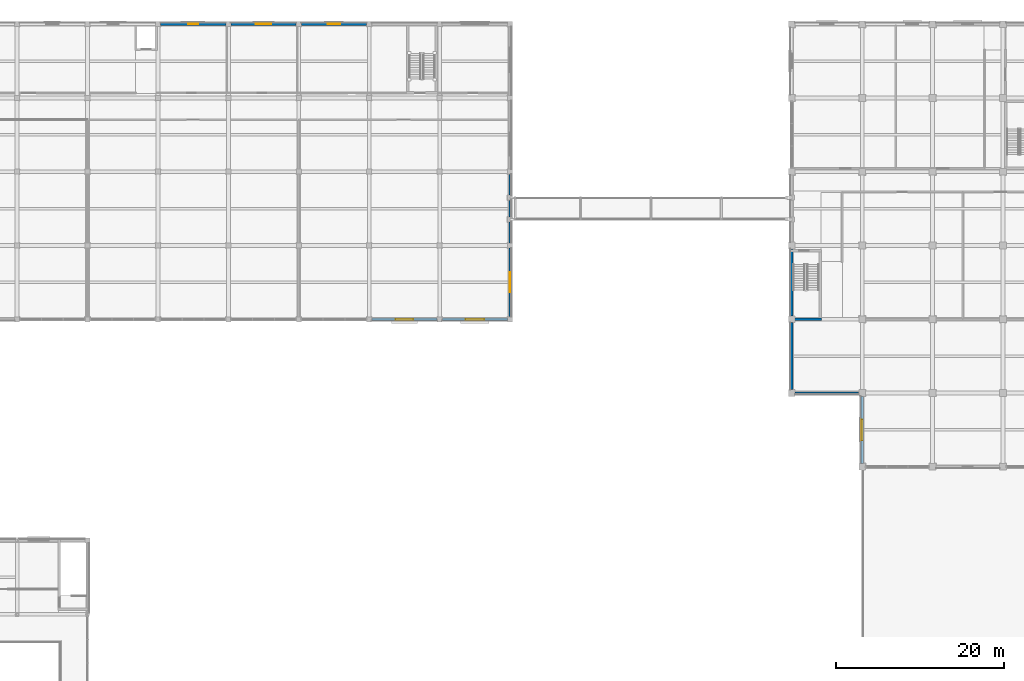
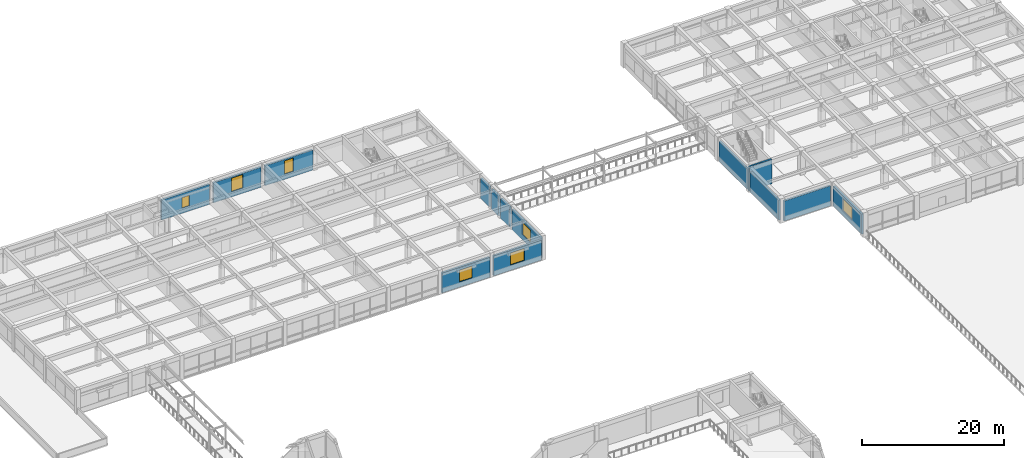
# One storey, part 37 of 57: 14 walls, 7 windows, 7 openings.
"""IFC4 building model written with IfcOpenShell, lengths in metres."""

from ifc_helpers import new_model, si_unit, direction, frame, frame_2d, origin, place, context, subcontext, project, spatial, rectangle, extrude, material, layer, layer_set, type_object, element, fill, save


model = new_model("IFC4")

# Units and contexts
model_context = context("Model", 3, precision=1e-05, world=origin(), true_north=direction((0.0, 1.0)))
body_context = subcontext(model_context, "Body", "Model", "MODEL_VIEW")
ifc_project = project(units=[si_unit("LENGTHUNIT", "METRE"), si_unit("AREAUNIT", "SQUARE_METRE"), si_unit("VOLUMEUNIT", "CUBIC_METRE"), si_unit("PLANEANGLEUNIT", "RADIAN"), si_unit("MASSUNIT", "GRAM", prefix="KILO")], contexts=[model_context])

# Site, building, storey
site_placement = place(None, origin())
site = spatial("IfcSite", under=ifc_project, at=site_placement, CompositionType="ELEMENT")
building_placement = place(site_placement, origin())
building = spatial("IfcBuilding", under=site, at=building_placement, Name="Kemercrest Conservatory and Botanical Centre", CompositionType="ELEMENT")
storey_placement = place(building_placement, frame((0.0, 0.0, 4.800048828125)))
storey = spatial("IfcBuildingStorey", under=building, at=storey_placement, Name="L01", CompositionType="ELEMENT", Elevation=4.800048828125)

# Walls
ifc_material_1 = material(Name="Precast concrete C40/50", Category="concrete")
ifc_layer_1 = layer(ifc_material_1, 0.300048828125)
ifc_layer_set_1 = layer_set([ifc_layer_1], Name="Precast concrete C40/50")
wall_type_1 = type_object("IfcWallType", Name="CW-EXT300", PredefinedType="SHEAR", material=ifc_layer_set_1)
for number, where, z_axis, x_axis, name in (
    (1, (125.60009765625, 95.590087890625, 0.0), (0.0, 0.0, 1.0), (0.0, -1.0, 0.0), "Exterior stair-core shear wall CW-EXT300 (WAL:L01:EXT-189)"),
    (2, (125.60009765625, 86.7900390625, 0.0), (0.0, 0.0, 1.0), (0.0, -1.0, 0.0), "Exterior stair-core shear wall CW-EXT300 (WAL:L01:EXT-190)"),
):
    element("IfcWall", number, at=place(storey_placement, frame(where, z_axis=z_axis, x_axis=x_axis)), inside=storey, type_object=wall_type_1, Name=name, PredefinedType="SHEAR", context=body_context, shape_type="SweptSolid", body=[
        extrude(rectangle(XDim=7.97998046875, YDim=0.300048828125, at=frame_2d((3.989990234375, 0.0))), origin(), (0.0, 0.0, 1.0), 3.449951171875),
    ])
wall_1_placement = place(storey_placement, frame((126.010009765625, 78.39990234375, 0.0), z_axis=(0.0, 0.0, 1.0), x_axis=(1.0, 0.0, 0.0)))
element("IfcWall", 3, at=wall_1_placement, inside=storey, type_object=wall_type_1, Name="Exterior stair-core shear wall CW-EXT300 (WAL:L01:EXT-191)", PredefinedType="SHEAR", context=body_context, shape_type="SweptSolid", body=[
    extrude(rectangle(XDim=7.580078125, YDim=0.300048828125, at=frame_2d((3.7900390625, 0.0))), origin(), (0.0, 0.0, 1.0), 3.449951171875),
])
ifc_material_2 = material(Name="Concrete C50/60", Category="concrete")
ifc_layer_2 = layer(ifc_material_2, 0.300048828125)
ifc_layer_set_2 = layer_set([ifc_layer_2], Name="Concrete C50/60")
wall_type_2 = type_object("IfcWallType", Name="CW-STAIR", PredefinedType="SHEAR", material=ifc_layer_set_2)
wall_2_placement = place(storey_placement, frame((125.449951171875, 87.199951171875, 0.0), z_axis=(0.0, 0.0, 1.0), x_axis=(1.0, 0.0, 0.0)))
element("IfcWall", 4, at=wall_2_placement, inside=storey, type_object=wall_type_2, Name="Stair core ST-V4C shear wall S", PredefinedType="SHEAR", context=body_context, shape_type="SweptSolid", body=[
    extrude(rectangle(XDim=3.699951171875, YDim=0.300048828125, at=frame_2d((1.85009765625, 0.0))), origin(), (0.0, 0.0, 1.0), 4.199951171875),
])

# Wall, opening, window
ifc_layer_3 = layer(ifc_material_1, 0.300048828125)
ifc_layer_set_3 = layer_set([ifc_layer_3], Name="Precast concrete C40/50")
wall_type_3 = type_object("IfcWallType", Name="W-EXT300", PredefinedType="SOLIDWALL", material=ifc_layer_set_3)
wall_3_placement = place(storey_placement, frame((75.510009765625, 87.199951171875, 0.0), z_axis=(0.0, 0.0, 1.0), x_axis=(1.0, 0.0, 0.0)))
wall_3 = element("IfcWall", 5, at=wall_3_placement, inside=storey, type_object=wall_type_3, Name="Exterior almasik wall W-EXT300 (WAL:L01:EXT-098)", PredefinedType="SOLIDWALL", context=body_context, shape_type="SweptSolid", body=[
    extrude(rectangle(XDim=7.780029296875, YDim=0.300048828125, at=frame_2d((3.89013671875, 0.0))), origin(), (0.0, 0.0, 1.0), 3.449951171875),
])
opening_1_placement = place(wall_3_placement, frame((2.85009765625, 0.0, 0.89990234375)))
opening_1 = element("IfcOpeningElement", 6, at=opening_1_placement, cuts=wall_3, Name="Opening WT-51", PredefinedType="OPENING", context=body_context, shape_type="SweptSolid", body=[
    extrude(rectangle(XDim=2.080078125, YDim=2.0400390625, at=frame_2d((1.0400390625, 1.02001953125))), frame((0.0, 0.16015625, 0.0), z_axis=(0.0, -1.0, 0.0), x_axis=(1.0, 0.0, 0.0)), (0.0, 0.0, 1.0), 0.320068359375),
])
ifc_material_3 = material(Name="Thermally broken bronze-anodized aluminium and triple glazing", Category="aluminium")
window_type_1 = type_object("IfcWindowType", Name="WT-51", PartitioningType="SINGLE_PANEL", PredefinedType="WINDOW", material=ifc_material_3)
window_1_placement = place(opening_1_placement, origin())
window_1 = element("IfcWindow", 7, at=window_1_placement, inside=storey, type_object=window_type_1, Name="Exterior window WT-51 (WIN:L01:EXT-098)", OverallHeight=2.0400390625, OverallWidth=2.080078125, PartitioningType="SINGLE_PANEL", PredefinedType="WINDOW", context=body_context, shape_type="SweptSolid", body=[
    extrude(rectangle(XDim=2.080078125, YDim=2.0400390625, at=frame_2d((1.0400390625, 1.02001953125))), frame((0.0, 0.030029296875, 0.0), z_axis=(0.0, -1.0, 0.0), x_axis=(1.0, 0.0, 0.0)), (0.0, 0.0, 1.0), 0.06005859375),
])
fill(opening_1, window_1)

wall_4_placement = place(storey_placement, frame((83.909912109375, 87.199951171875, 0.0), z_axis=(0.0, 0.0, 1.0), x_axis=(1.0, 0.0, 0.0)))
wall_4 = element("IfcWall", 8, at=wall_4_placement, inside=storey, type_object=wall_type_3, Name="Exterior almasik wall W-EXT300 (WAL:L01:EXT-099)", PredefinedType="SOLIDWALL", context=body_context, shape_type="SweptSolid", body=[
    extrude(rectangle(XDim=7.780029296875, YDim=0.300048828125, at=frame_2d((3.89013671875, 0.0))), origin(), (0.0, 0.0, 1.0), 3.449951171875),
])
opening_2_placement = place(wall_4_placement, frame((2.780029296875, 0.0, 0.89990234375)))
opening_2 = element("IfcOpeningElement", 9, at=opening_2_placement, cuts=wall_4, Name="Opening WT-52", PredefinedType="OPENING", context=body_context, shape_type="SweptSolid", body=[
    extrude(rectangle(XDim=2.219970703125, YDim=2.080078125, at=frame_2d((1.10986328125, 1.0400390625))), frame((0.0, 0.16015625, 0.0), z_axis=(0.0, -1.0, 0.0), x_axis=(1.0, 0.0, 0.0)), (0.0, 0.0, 1.0), 0.320068359375),
])
window_type_2 = type_object("IfcWindowType", Name="WT-52", PartitioningType="SINGLE_PANEL", PredefinedType="WINDOW", material=ifc_material_3)
window_2_placement = place(opening_2_placement, origin())
window_2 = element("IfcWindow", 10, at=window_2_placement, inside=storey, type_object=window_type_2, Name="Exterior window WT-52 (WIN:L01:EXT-099)", OverallHeight=2.080078125, OverallWidth=2.219970703125, PartitioningType="SINGLE_PANEL", PredefinedType="WINDOW", context=body_context, shape_type="SweptSolid", body=[
    extrude(rectangle(XDim=2.219970703125, YDim=2.080078125, at=frame_2d((1.10986328125, 1.0400390625))), frame((0.0, 0.030029296875, 0.0), z_axis=(0.0, -1.0, 0.0), x_axis=(1.0, 0.0, 0.0)), (0.0, 0.0, 1.0), 0.06005859375),
])
fill(opening_2, window_2)

wall_5_placement = place(storey_placement, frame((92.0, 87.510009765625, 0.0), z_axis=(0.0, 0.0, 1.0), x_axis=(0.0, 1.0, 0.0)))
wall_5 = element("IfcWall", 11, at=wall_5_placement, inside=storey, type_object=wall_type_3, Name="Exterior almasik wall W-EXT300 (WAL:L01:EXT-100)", PredefinedType="SOLIDWALL", context=body_context, shape_type="SweptSolid", body=[
    extrude(rectangle(XDim=8.179931640625, YDim=0.300048828125, at=frame_2d((4.08984375, 0.0))), origin(), (0.0, 0.0, 1.0), 3.449951171875),
])
opening_3_placement = place(wall_5_placement, frame((2.89990234375, 0.0, 0.89990234375)))
opening_3 = element("IfcOpeningElement", 12, at=opening_3_placement, cuts=wall_5, Name="Opening WT-53", PredefinedType="OPENING", context=body_context, shape_type="SweptSolid", body=[
    extrude(rectangle(XDim=2.3798828125, YDim=2.1201171875, at=frame_2d((1.18994140625, 1.06005859375))), frame((0.0, 0.16015625, 0.0), z_axis=(0.0, -1.0, 0.0), x_axis=(1.0, 0.0, 0.0)), (0.0, 0.0, 1.0), 0.320068359375),
])
window_type_3 = type_object("IfcWindowType", Name="WT-53", PartitioningType="SINGLE_PANEL", PredefinedType="WINDOW", material=ifc_material_3)
window_3_placement = place(opening_3_placement, origin())
window_3 = element("IfcWindow", 13, at=window_3_placement, inside=storey, type_object=window_type_3, Name="Exterior window WT-53 (WIN:L01:EXT-100)", OverallHeight=2.1201171875, OverallWidth=2.3798828125, PartitioningType="SINGLE_PANEL", PredefinedType="WINDOW", context=body_context, shape_type="SweptSolid", body=[
    extrude(rectangle(XDim=2.3798828125, YDim=2.1201171875, at=frame_2d((1.18994140625, 1.06005859375))), frame((0.0, 0.030029296875, 0.0), z_axis=(0.0, -1.0, 0.0), x_axis=(1.0, 0.0, 0.0)), (0.0, 0.0, 1.0), 0.06005859375),
])
fill(opening_3, window_3)

# Walls
wall_6_placement = place(storey_placement, frame((92.0, 96.31005859375, 0.0), z_axis=(0.0, 0.0, 1.0), x_axis=(0.0, 1.0, 0.0)))
element("IfcWall", 14, at=wall_6_placement, inside=storey, type_object=wall_type_3, Name="Exterior almasik wall W-EXT300 (WAL:L01:EXT-101-S1)", PredefinedType="SOLIDWALL", context=body_context, shape_type="SweptSolid", body=[
    extrude(rectangle(XDim=2.47998046875, YDim=0.300048828125, at=frame_2d((1.239990234375, 0.0))), origin(), (0.0, 0.0, 1.0), 3.449951171875),
])
wall_7_placement = place(storey_placement, frame((92.0, 99.409912109375, 0.0), z_axis=(0.0, 0.0, 1.0), x_axis=(0.0, 1.0, 0.0)))
element("IfcWall", 15, at=wall_7_placement, inside=storey, type_object=wall_type_3, Name="Exterior almasik wall W-EXT300 (WAL:L01:EXT-101-S2)", PredefinedType="SOLIDWALL", context=body_context, shape_type="SweptSolid", body=[
    extrude(rectangle(XDim=1.97998046875, YDim=0.300048828125, at=frame_2d((0.989990234375, 0.0))), origin(), (0.0, 0.0, 1.0), 3.449951171875),
])
wall_8_placement = place(storey_placement, frame((92.0, 102.010009765625, 0.0), z_axis=(0.0, 0.0, 1.0), x_axis=(0.0, 1.0, 0.0)))
element("IfcWall", 16, at=wall_8_placement, inside=storey, type_object=wall_type_3, Name="Exterior almasik wall W-EXT300 (WAL:L01:EXT-101-S3)", PredefinedType="SOLIDWALL", context=body_context, shape_type="SweptSolid", body=[
    extrude(rectangle(XDim=2.47998046875, YDim=0.300048828125, at=frame_2d((1.239990234375, 0.0))), origin(), (0.0, 0.0, 1.0), 3.449951171875),
])

# Wall, opening, window
wall_9_placement = place(storey_placement, frame((74.889892578125, 122.39990234375, 0.0), z_axis=(0.0, 0.0, 1.0), x_axis=(-1.0, 0.0, 0.0)))
wall_9 = element("IfcWall", 17, at=wall_9_placement, inside=storey, type_object=wall_type_3, Name="Exterior almasik wall W-EXT300 (WAL:L01:EXT-106)", PredefinedType="SOLIDWALL", context=body_context, shape_type="SweptSolid", body=[
    extrude(rectangle(XDim=7.77978515625, YDim=0.300048828125, at=frame_2d((3.889892578125, 0.0))), origin(), (0.0, 0.0, 1.0), 3.449951171875),
])
opening_4_placement = place(wall_9_placement, frame((3.169921875, 0.0, 0.89990234375)))
opening_4 = element("IfcOpeningElement", 18, at=opening_4_placement, cuts=wall_9, Name="Opening WT-59", PredefinedType="OPENING", context=body_context, shape_type="SweptSolid", body=[
    extrude(rectangle(XDim=1.43994140625, YDim=2.300048828125, at=frame_2d((0.719970703125, 1.14990234375))), frame((0.0, 0.16015625, 0.0), z_axis=(0.0, -1.0, 0.0), x_axis=(1.0, 0.0, 0.0)), (0.0, 0.0, 1.0), 0.320068359375),
])
window_type_4 = type_object("IfcWindowType", Name="WT-59", PartitioningType="SINGLE_PANEL", PredefinedType="WINDOW", material=ifc_material_3)
window_4_placement = place(opening_4_placement, origin())
window_4 = element("IfcWindow", 19, at=window_4_placement, inside=storey, type_object=window_type_4, Name="Exterior window WT-59 (WIN:L01:EXT-106)", OverallHeight=2.300048828125, OverallWidth=1.43994140625, PartitioningType="SINGLE_PANEL", PredefinedType="WINDOW", context=body_context, shape_type="SweptSolid", body=[
    extrude(rectangle(XDim=1.43994140625, YDim=2.300048828125, at=frame_2d((0.719970703125, 1.14990234375))), frame((0.0, 0.030029296875, 0.0), z_axis=(0.0, -1.0, 0.0), x_axis=(1.0, 0.0, 0.0)), (0.0, 0.0, 1.0), 0.06005859375),
])
fill(opening_4, window_4)

wall_10_placement = place(storey_placement, frame((66.489990234375, 122.39990234375, 0.0), z_axis=(0.0, 0.0, 1.0), x_axis=(-1.0, 0.0, 0.0)))
wall_10 = element("IfcWall", 20, at=wall_10_placement, inside=storey, type_object=wall_type_3, Name="Exterior almasik wall W-EXT300 (WAL:L01:EXT-107)", PredefinedType="SOLIDWALL", context=body_context, shape_type="SweptSolid", body=[
    extrude(rectangle(XDim=7.780029296875, YDim=0.300048828125, at=frame_2d((3.89013671875, 0.0))), origin(), (0.0, 0.0, 1.0), 3.449951171875),
])
opening_5_placement = place(wall_10_placement, frame((2.969970703125, 0.0, 0.89990234375)))
opening_5 = element("IfcOpeningElement", 21, at=opening_5_placement, cuts=wall_10, Name="Opening WT-60", PredefinedType="OPENING", context=body_context, shape_type="SweptSolid", body=[
    extrude(rectangle(XDim=1.840087890625, YDim=2.340087890625, at=frame_2d((0.919921875, 1.169921875))), frame((0.0, 0.16015625, 0.0), z_axis=(0.0, -1.0, 0.0), x_axis=(1.0, 0.0, 0.0)), (0.0, 0.0, 1.0), 0.320068359375),
])
window_type_5 = type_object("IfcWindowType", Name="WT-60", PartitioningType="SINGLE_PANEL", PredefinedType="WINDOW", material=ifc_material_3)
window_5_placement = place(opening_5_placement, origin())
window_5 = element("IfcWindow", 22, at=window_5_placement, inside=storey, type_object=window_type_5, Name="Exterior window WT-60 (WIN:L01:EXT-107)", OverallHeight=2.340087890625, OverallWidth=1.840087890625, PartitioningType="SINGLE_PANEL", PredefinedType="WINDOW", context=body_context, shape_type="SweptSolid", body=[
    extrude(rectangle(XDim=1.840087890625, YDim=2.340087890625, at=frame_2d((0.919921875, 1.169921875))), frame((0.0, 0.030029296875, 0.0), z_axis=(0.0, -1.0, 0.0), x_axis=(1.0, 0.0, 0.0)), (0.0, 0.0, 1.0), 0.06005859375),
])
fill(opening_5, window_5)

wall_11_placement = place(storey_placement, frame((58.090087890625, 122.39990234375, 0.0), z_axis=(0.0, 0.0, 1.0), x_axis=(-1.0, 0.0, 0.0)))
wall_11 = element("IfcWall", 23, at=wall_11_placement, inside=storey, type_object=wall_type_3, Name="Exterior almasik wall W-EXT300 (WAL:L01:EXT-108)", PredefinedType="SOLIDWALL", context=body_context, shape_type="SweptSolid", body=[
    extrude(rectangle(XDim=7.780029296875, YDim=0.300048828125, at=frame_2d((3.89013671875, 0.0))), origin(), (0.0, 0.0, 1.0), 3.449951171875),
])
opening_6_placement = place(wall_11_placement, frame((3.2900390625, 0.0, 0.89990234375)))
opening_6 = element("IfcOpeningElement", 24, at=opening_6_placement, cuts=wall_11, Name="Opening WT-01", PredefinedType="OPENING", context=body_context, shape_type="SweptSolid", body=[
    extrude(rectangle(XDim=1.199951171875, YDim=1.800048828125, at=frame_2d((0.60009765625, 0.89990234375))), frame((0.0, 0.16015625, 0.0), z_axis=(0.0, -1.0, 0.0), x_axis=(1.0, 0.0, 0.0)), (0.0, 0.0, 1.0), 0.320068359375),
])
window_type_6 = type_object("IfcWindowType", Name="WT-01", PartitioningType="SINGLE_PANEL", PredefinedType="WINDOW", material=ifc_material_3)
window_6_placement = place(opening_6_placement, origin())
window_6 = element("IfcWindow", 25, at=window_6_placement, inside=storey, type_object=window_type_6, Name="Exterior window WT-01 (WIN:L01:EXT-108)", OverallHeight=1.800048828125, OverallWidth=1.199951171875, PartitioningType="SINGLE_PANEL", PredefinedType="WINDOW", context=body_context, shape_type="SweptSolid", body=[
    extrude(rectangle(XDim=1.199951171875, YDim=1.800048828125, at=frame_2d((0.60009765625, 0.89990234375))), frame((0.0, 0.030029296875, 0.0), z_axis=(0.0, -1.0, 0.0), x_axis=(1.0, 0.0, 0.0)), (0.0, 0.0, 1.0), 0.06005859375),
])
fill(opening_6, window_6)

wall_12_placement = place(storey_placement, frame((134.0, 77.989990234375, 0.0), z_axis=(0.0, 0.0, 1.0), x_axis=(0.0, -1.0, 0.0)))
wall_12 = element("IfcWall", 26, at=wall_12_placement, inside=storey, type_object=wall_type_3, Name="Exterior almasik wall W-EXT300 (WAL:L01:EXT-192)", PredefinedType="SOLIDWALL", context=body_context, shape_type="SweptSolid", body=[
    extrude(rectangle(XDim=7.97998046875, YDim=0.300048828125, at=frame_2d((3.989990234375, 0.0))), origin(), (0.0, 0.0, 1.0), 3.449951171875),
])
opening_7_placement = place(wall_12_placement, frame((2.75, 0.0, 0.89990234375)))
opening_7 = element("IfcOpeningElement", 27, at=opening_7_placement, cuts=wall_12, Name="Opening WT-37", PredefinedType="OPENING", context=body_context, shape_type="SweptSolid", body=[
    extrude(rectangle(XDim=2.47998046875, YDim=2.080078125, at=frame_2d((1.239990234375, 1.0400390625))), frame((0.0, 0.16015625, 0.0), z_axis=(0.0, -1.0, 0.0), x_axis=(1.0, 0.0, 0.0)), (0.0, 0.0, 1.0), 0.320068359375),
])
window_type_7 = type_object("IfcWindowType", Name="WT-37", PartitioningType="SINGLE_PANEL", PredefinedType="WINDOW", material=ifc_material_3)
window_7_placement = place(opening_7_placement, origin())
window_7 = element("IfcWindow", 28, at=window_7_placement, inside=storey, type_object=window_type_7, Name="Exterior window WT-37 (WIN:L01:EXT-192)", OverallHeight=2.080078125, OverallWidth=2.47998046875, PartitioningType="SINGLE_PANEL", PredefinedType="WINDOW", context=body_context, shape_type="SweptSolid", body=[
    extrude(rectangle(XDim=2.47998046875, YDim=2.080078125, at=frame_2d((1.239990234375, 1.0400390625))), frame((0.0, 0.030029296875, 0.0), z_axis=(0.0, -1.0, 0.0), x_axis=(1.0, 0.0, 0.0)), (0.0, 0.0, 1.0), 0.06005859375),
])
fill(opening_7, window_7)

save(model, "model.ifc")
